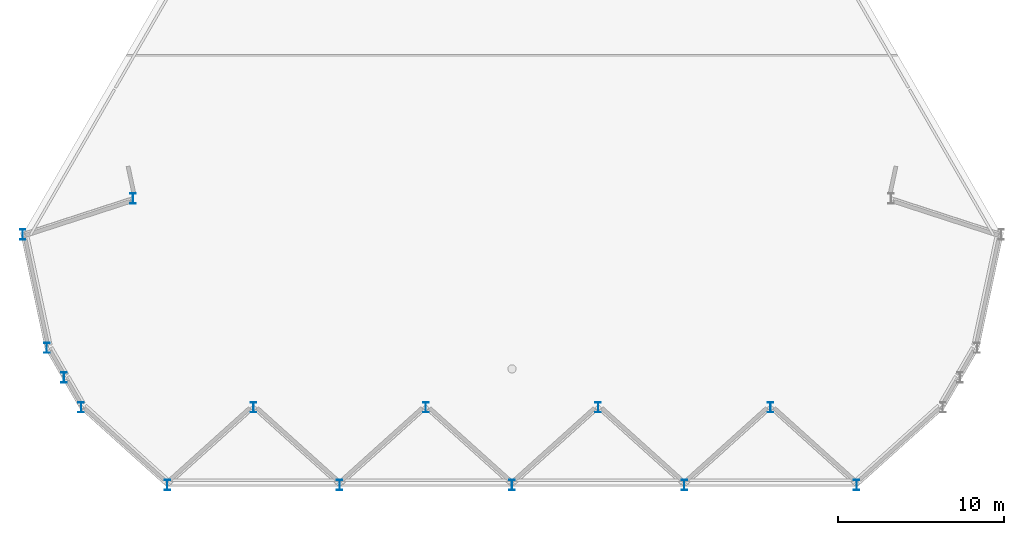
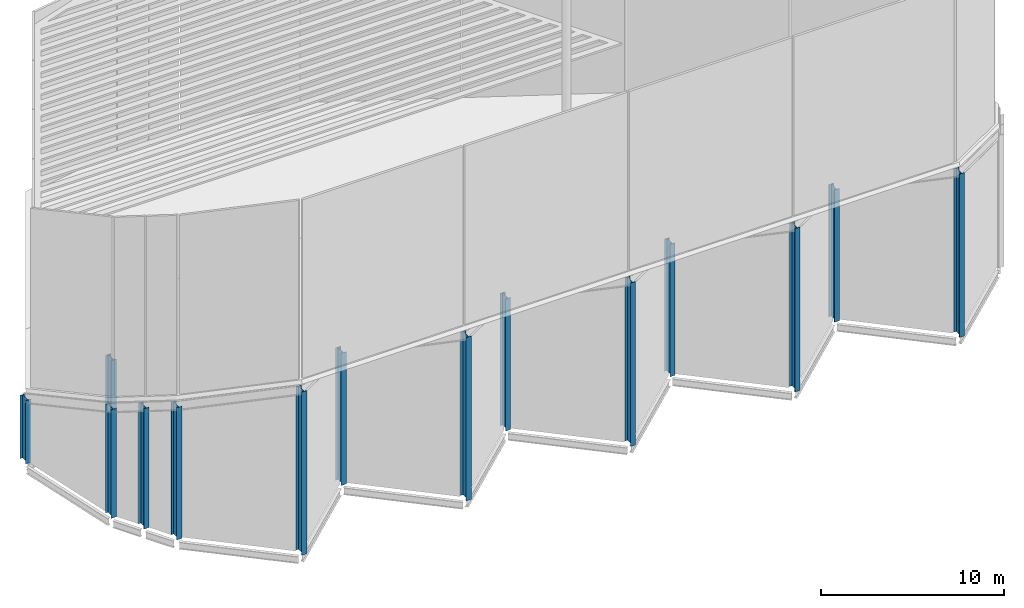
# One storey, part 1 of 5: 14 columns.
"""IFC4 building model written with IfcOpenShell, lengths in metres."""

from ifc_helpers import new_model, si_unit, direction, frame, origin, origin_2d, place, context, subcontext, project, spatial, i_section, extrude, material, material_profile, profile_set, type_object, element, save


model = new_model("IFC4")

# Units and contexts
model_context = context("Model", 3, precision=1e-05, world=origin(), true_north=direction((0.0, 1.0)))
body_context = subcontext(model_context, "Body", "Model", "MODEL_VIEW")
ifc_project = project(units=[si_unit("LENGTHUNIT", "METRE"), si_unit("AREAUNIT", "SQUARE_METRE"), si_unit("VOLUMEUNIT", "CUBIC_METRE"), si_unit("PLANEANGLEUNIT", "RADIAN"), si_unit("MASSUNIT", "GRAM", prefix="KILO")], contexts=[model_context])

# Site, building, storey
site_placement = place(None, origin())
site = spatial("IfcSite", under=ifc_project, at=site_placement, CompositionType="ELEMENT")
building_placement = place(site_placement, origin())
building = spatial("IfcBuilding", under=site, at=building_placement, Name="Cormorant Prow Tower", CompositionType="ELEMENT")
storey_placement = place(building_placement, frame((0.0, 0.0, 447.699951171875)))
storey = spatial("IfcBuildingStorey", under=building, at=storey_placement, Name="L99", CompositionType="ELEMENT", Elevation=447.699951171875)

# Columns
ifc_material = material(Name="Structural steel ASTM A992 Gr 50", Category="steel")
ifc_material_profile = material_profile(ifc_material, i_section(OverallWidth=0.326416015625, OverallDepth=0.621826171875, WebThickness=0.015380859375, FlangeThickness=0.0244140625, at=origin_2d()), Name="W24x131")
ifc_profile_set = profile_set([ifc_material_profile], Name="Structural steel ASTM A992 Gr 50")
column_type = type_object("IfcColumnType", Name="Crown frame column W24x131", PredefinedType="COLUMN", material=ifc_profile_set)
column_1_placement = place(storey_placement, frame((-26.0, -17.40576171875, 0.0), z_axis=(0.0, 0.0, 1.0), x_axis=(1.0, 0.0, 0.0)))
element("IfcColumn", 1, at=column_1_placement, inside=storey, type_object=column_type, Name="Crown frame column at S00 L99", PredefinedType="COLUMN", context=body_context, shape_type="SweptSolid", body=[
    extrude(i_section(OverallWidth=0.326416015625, OverallDepth=0.621826171875, WebThickness=0.015380859375, FlangeThickness=0.0244140625, at=origin_2d()), origin(), (0.0, 0.0, 1.0), 8.84765625),
])
column_2_placement = place(storey_placement, frame((-20.800048828125, -22.087890625, 0.0), z_axis=(0.0, 0.0, 1.0), x_axis=(1.0, 0.0, 0.0)))
element("IfcColumn", 2, at=column_2_placement, inside=storey, type_object=column_type, Name="Crown frame column at S01 L99", PredefinedType="COLUMN", context=body_context, shape_type="SweptSolid", body=[
    extrude(i_section(OverallWidth=0.326416015625, OverallDepth=0.621826171875, WebThickness=0.015380859375, FlangeThickness=0.0244140625, at=origin_2d()), origin(), (0.0, 0.0, 1.0), 10.920654296875),
])
column_3_placement = place(storey_placement, frame((-15.60009765625, -17.40576171875, 0.0), z_axis=(0.0, 0.0, 1.0), x_axis=(1.0, 0.0, 0.0)))
element("IfcColumn", 3, at=column_3_placement, inside=storey, type_object=column_type, Name="Crown frame column at S02 L99", PredefinedType="COLUMN", context=body_context, shape_type="SweptSolid", body=[
    extrude(i_section(OverallWidth=0.326416015625, OverallDepth=0.621826171875, WebThickness=0.015380859375, FlangeThickness=0.0244140625, at=origin_2d()), origin(), (0.0, 0.0, 1.0), 8.84765625),
])
column_4_placement = place(storey_placement, frame((-10.39990234375, -22.087890625, 0.0), z_axis=(0.0, 0.0, 1.0), x_axis=(1.0, 0.0, 0.0)))
element("IfcColumn", 4, at=column_4_placement, inside=storey, type_object=column_type, Name="Crown frame column at S03 L99", PredefinedType="COLUMN", context=body_context, shape_type="SweptSolid", body=[
    extrude(i_section(OverallWidth=0.326416015625, OverallDepth=0.621826171875, WebThickness=0.015380859375, FlangeThickness=0.0244140625, at=origin_2d()), origin(), (0.0, 0.0, 1.0), 10.920654296875),
])
column_5_placement = place(storey_placement, frame((-5.199951171875, -17.40576171875, 0.0), z_axis=(0.0, 0.0, 1.0), x_axis=(1.0, 0.0, 0.0)))
element("IfcColumn", 5, at=column_5_placement, inside=storey, type_object=column_type, Name="Crown frame column at S04 L99", PredefinedType="COLUMN", context=body_context, shape_type="SweptSolid", body=[
    extrude(i_section(OverallWidth=0.326416015625, OverallDepth=0.621826171875, WebThickness=0.015380859375, FlangeThickness=0.0244140625, at=origin_2d()), origin(), (0.0, 0.0, 1.0), 8.84765625),
])
column_6_placement = place(storey_placement, frame((0.0, -22.087890625, 0.0), z_axis=(0.0, 0.0, 1.0), x_axis=(1.0, 0.0, 0.0)))
element("IfcColumn", 6, at=column_6_placement, inside=storey, type_object=column_type, Name="Crown frame column at S05 L99", PredefinedType="COLUMN", context=body_context, shape_type="SweptSolid", body=[
    extrude(i_section(OverallWidth=0.326416015625, OverallDepth=0.621826171875, WebThickness=0.015380859375, FlangeThickness=0.0244140625, at=origin_2d()), origin(), (0.0, 0.0, 1.0), 10.920654296875),
])
column_7_placement = place(storey_placement, frame((5.199951171875, -17.40576171875, 0.0), z_axis=(0.0, 0.0, 1.0), x_axis=(1.0, 0.0, 0.0)))
element("IfcColumn", 7, at=column_7_placement, inside=storey, type_object=column_type, Name="Crown frame column at S06 L99", PredefinedType="COLUMN", context=body_context, shape_type="SweptSolid", body=[
    extrude(i_section(OverallWidth=0.326416015625, OverallDepth=0.621826171875, WebThickness=0.015380859375, FlangeThickness=0.0244140625, at=origin_2d()), origin(), (0.0, 0.0, 1.0), 8.84765625),
])
column_8_placement = place(storey_placement, frame((10.39990234375, -22.087890625, 0.0), z_axis=(0.0, 0.0, 1.0), x_axis=(1.0, 0.0, 0.0)))
element("IfcColumn", 8, at=column_8_placement, inside=storey, type_object=column_type, Name="Crown frame column at S07 L99", PredefinedType="COLUMN", context=body_context, shape_type="SweptSolid", body=[
    extrude(i_section(OverallWidth=0.326416015625, OverallDepth=0.621826171875, WebThickness=0.015380859375, FlangeThickness=0.0244140625, at=origin_2d()), origin(), (0.0, 0.0, 1.0), 10.920654296875),
])
column_9_placement = place(storey_placement, frame((15.60009765625, -17.40576171875, 0.0), z_axis=(0.0, 0.0, 1.0), x_axis=(1.0, 0.0, 0.0)))
element("IfcColumn", 9, at=column_9_placement, inside=storey, type_object=column_type, Name="Crown frame column at S08 L99", PredefinedType="COLUMN", context=body_context, shape_type="SweptSolid", body=[
    extrude(i_section(OverallWidth=0.326416015625, OverallDepth=0.621826171875, WebThickness=0.015380859375, FlangeThickness=0.0244140625, at=origin_2d()), origin(), (0.0, 0.0, 1.0), 8.84765625),
])
column_10_placement = place(storey_placement, frame((20.800048828125, -22.087890625, 0.0), z_axis=(0.0, 0.0, 1.0), x_axis=(1.0, 0.0, 0.0)))
element("IfcColumn", 10, at=column_10_placement, inside=storey, type_object=column_type, Name="Crown frame column at S09 L99", PredefinedType="COLUMN", context=body_context, shape_type="SweptSolid", body=[
    extrude(i_section(OverallWidth=0.326416015625, OverallDepth=0.621826171875, WebThickness=0.015380859375, FlangeThickness=0.0244140625, at=origin_2d()), origin(), (0.0, 0.0, 1.0), 10.920654296875),
])
column_11_placement = place(storey_placement, frame((-22.873779296875, -4.80712890625, 0.0), z_axis=(0.0, 0.0, 1.0), x_axis=(1.0, 0.0, 0.0)))
element("IfcColumn", 11, at=column_11_placement, inside=storey, type_object=column_type, Name="Crown frame column at WNW08 L99", PredefinedType="COLUMN", context=body_context, shape_type="SweptSolid", body=[
    extrude(i_section(OverallWidth=0.326416015625, OverallDepth=0.621826171875, WebThickness=0.015380859375, FlangeThickness=0.0244140625, at=origin_2d()), origin(), (0.0, 0.0, 1.0), 3.270263671875),
])
column_12_placement = place(storey_placement, frame((-29.528564453125, -6.969482421875, 0.0), z_axis=(0.0, 0.0, 1.0), x_axis=(1.0, 0.0, 0.0)))
element("IfcColumn", 12, at=column_12_placement, inside=storey, type_object=column_type, Name="Crown frame column at WNW09 L99", PredefinedType="COLUMN", context=body_context, shape_type="SweptSolid", body=[
    extrude(i_section(OverallWidth=0.326416015625, OverallDepth=0.621826171875, WebThickness=0.015380859375, FlangeThickness=0.0244140625, at=origin_2d()), origin(), (0.0, 0.0, 1.0), 4.2275390625),
])
column_13_placement = place(storey_placement, frame((-28.07373046875, -13.813720703125, 0.0), z_axis=(0.0, 0.0, 1.0), x_axis=(1.0, 0.0, 0.0)))
element("IfcColumn", 13, at=column_13_placement, inside=storey, type_object=column_type, Name="Crown frame column at WSW00 L99", PredefinedType="COLUMN", context=body_context, shape_type="SweptSolid", body=[
    extrude(i_section(OverallWidth=0.326416015625, OverallDepth=0.621826171875, WebThickness=0.015380859375, FlangeThickness=0.0244140625, at=origin_2d()), origin(), (0.0, 0.0, 1.0), 7.257568359375),
])
column_14_placement = place(storey_placement, frame((-27.036865234375, -15.60986328125, 0.0), z_axis=(0.0, 0.0, 1.0), x_axis=(1.0, 0.0, 0.0)))
element("IfcColumn", 14, at=column_14_placement, inside=storey, type_object=column_type, Name="Crown frame column at WSW01 L99", PredefinedType="COLUMN", context=body_context, shape_type="SweptSolid", body=[
    extrude(i_section(OverallWidth=0.326416015625, OverallDepth=0.621826171875, WebThickness=0.015380859375, FlangeThickness=0.0244140625, at=origin_2d()), origin(), (0.0, 0.0, 1.0), 8.052734375),
])

save(model, "model.ifc")
